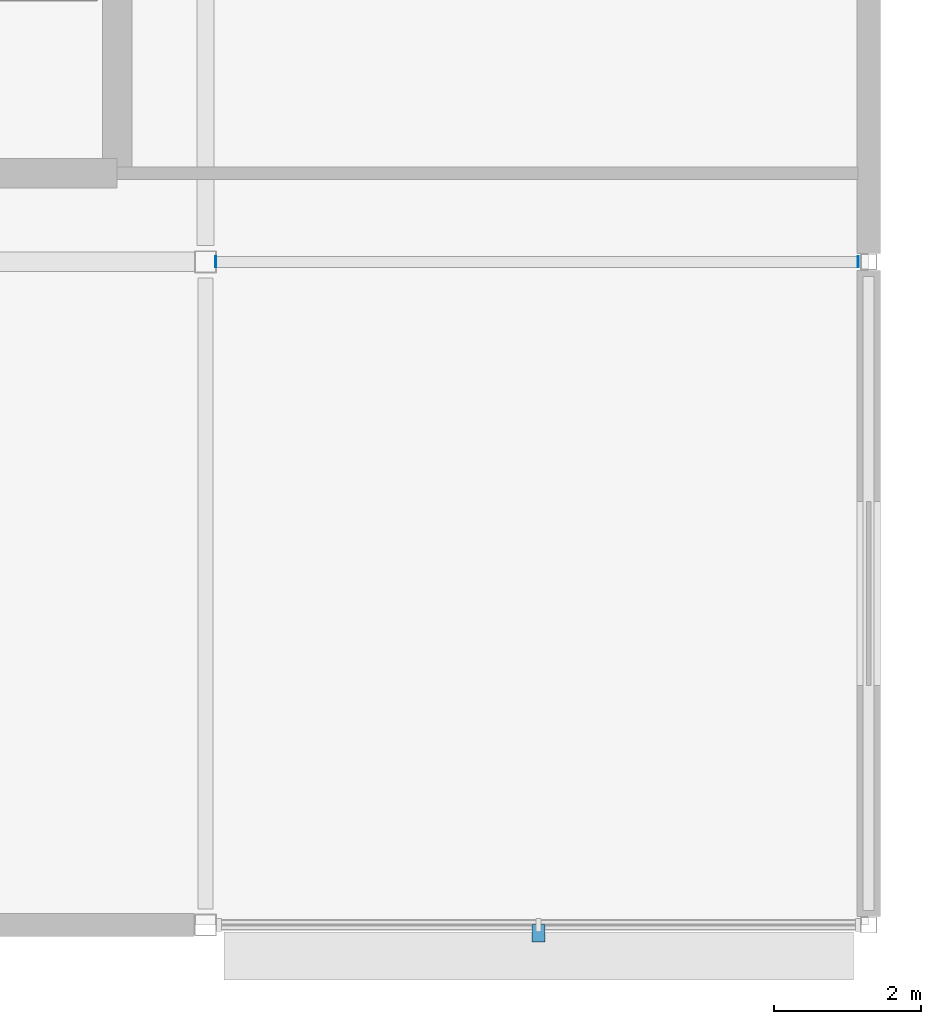
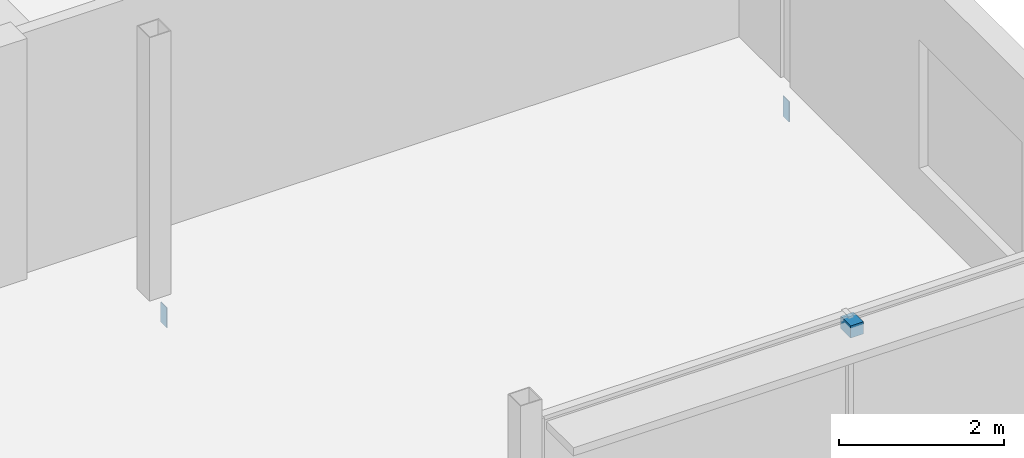
# One storey, part 40 of 55: 3 discrete accessories.
"""IFC4 building model written with IfcOpenShell, lengths in metres."""

from ifc_helpers import new_model, si_unit, direction, frame, origin, origin_2d, place, context, subcontext, project, spatial, polyline, rectangle, outline, extrude, material, layer, layer_set, type_object, element, save


model = new_model("IFC4")

# Units and contexts
model_context = context("Model", 3, precision=1e-05, world=origin(), true_north=direction((0.0, 1.0)))
body_context = subcontext(model_context, "Body", "Model", "MODEL_VIEW")
ifc_project = project(units=[si_unit("LENGTHUNIT", "METRE"), si_unit("AREAUNIT", "SQUARE_METRE"), si_unit("VOLUMEUNIT", "CUBIC_METRE"), si_unit("PLANEANGLEUNIT", "RADIAN"), si_unit("MASSUNIT", "GRAM", prefix="KILO")], contexts=[model_context])

# Site, building, storey
site_placement = place(None, origin())
site = spatial("IfcSite", under=ifc_project, at=site_placement, CompositionType="ELEMENT")
building_placement = place(site_placement, origin())
building = spatial("IfcBuilding", under=site, at=building_placement, Name="Kisiwana Market Hall", CompositionType="ELEMENT")
storey_placement = place(building_placement, frame((0.0, 0.0, 37.800048828125)))
storey = spatial("IfcBuildingStorey", under=building, at=storey_placement, Name="L08", CompositionType="ELEMENT", Elevation=37.800048828125)

# Discrete accessories
ifc_material_1 = material(Name="Steel S355", Category="steel")
discrete_accessory_type_1 = type_object("IfcDiscreteAccessoryType", Name="ACC-BRACKET-STL", PredefinedType="BRACKET", material=ifc_material_1)
discrete_accessory_1_placement = place(storey_placement, frame((193.52001953125, 8.889892578125, 3.35498046875), z_axis=(0.0, 0.0, 1.0), x_axis=(1.0, 0.0, 0.0)))
element("IfcDiscreteAccessory", 1, at=discrete_accessory_1_placement, inside=storey, type_object=discrete_accessory_type_1, Name="Sunshade steel bracket BRK-147", PredefinedType="BRACKET", context=body_context, shape_type="SweptSolid", body=[
    extrude(rectangle(XDim=0.179931640625, YDim=0.239990234375, at=origin_2d()), origin(), (0.0, 0.0, 1.0), 0.179931640625),
])
ifc_material_2 = material(Name="Steel S355", Category="steel")
ifc_layer = layer(ifc_material_2, 0.011962890625)
ifc_layer_set = layer_set([ifc_layer], Name="ACC-ENDCAP-STL")
discrete_accessory_type_2 = type_object("IfcDiscreteAccessoryType", Name="ACC-ENDCAP-STL", PredefinedType="USERDEFINED", material=ifc_layer_set)
discrete_accessory_2_placement = place(storey_placement, frame((0.0, 0.0, -0.545166015625)))
element("IfcDiscreteAccessory", 2, at=discrete_accessory_2_placement, inside=storey, type_object=discrete_accessory_type_2, Name="End cap plate EC-0107", ObjectType="End cap plate", PredefinedType="USERDEFINED", context=body_context, shape_type="SweptSolid", body=[
    extrude(outline(polyline([(197.85400390625, 17.925048828125), (197.865966796875, 17.925048828125), (197.865966796875, 18.074951171875), (197.85400390625, 18.074951171875), (197.85400390625, 17.925048828125)])), origin(), (0.0, 0.0, 1.0), 0.300048828125),
])
discrete_accessory_3_placement = place(storey_placement, frame((0.0, 0.0, -0.545166015625)))
element("IfcDiscreteAccessory", 3, at=discrete_accessory_3_placement, inside=storey, type_object=discrete_accessory_type_2, Name="End cap plate EC-0108", ObjectType="End cap plate", PredefinedType="USERDEFINED", context=body_context, shape_type="SweptSolid", body=[
    extrude(outline(polyline([(189.14599609375, 17.925048828125), (189.14599609375, 18.074951171875), (189.134033203125, 18.074951171875), (189.134033203125, 17.925048828125), (189.14599609375, 17.925048828125)])), origin(), (0.0, 0.0, 1.0), 0.300048828125),
])

save(model, "model.ifc")
